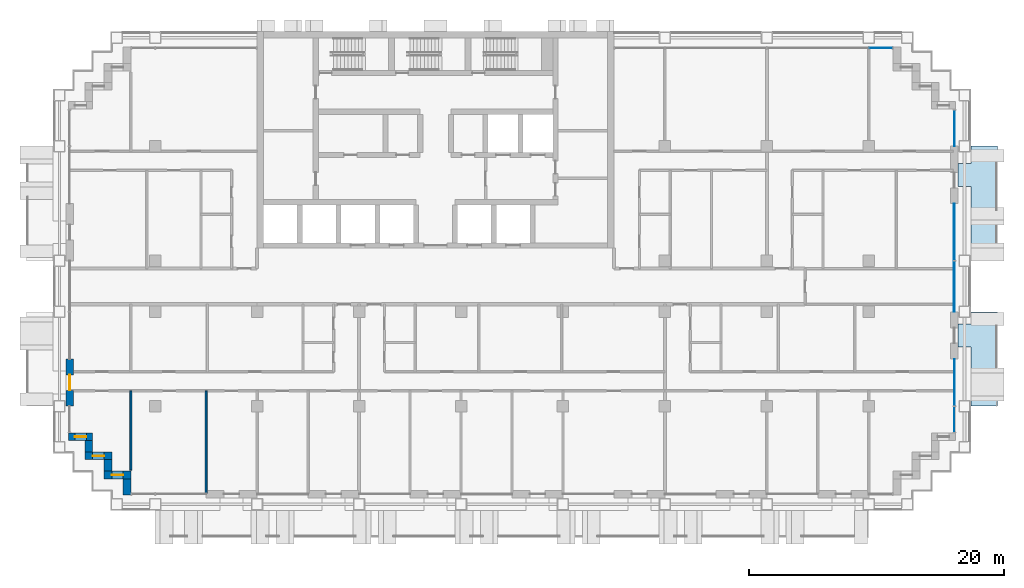
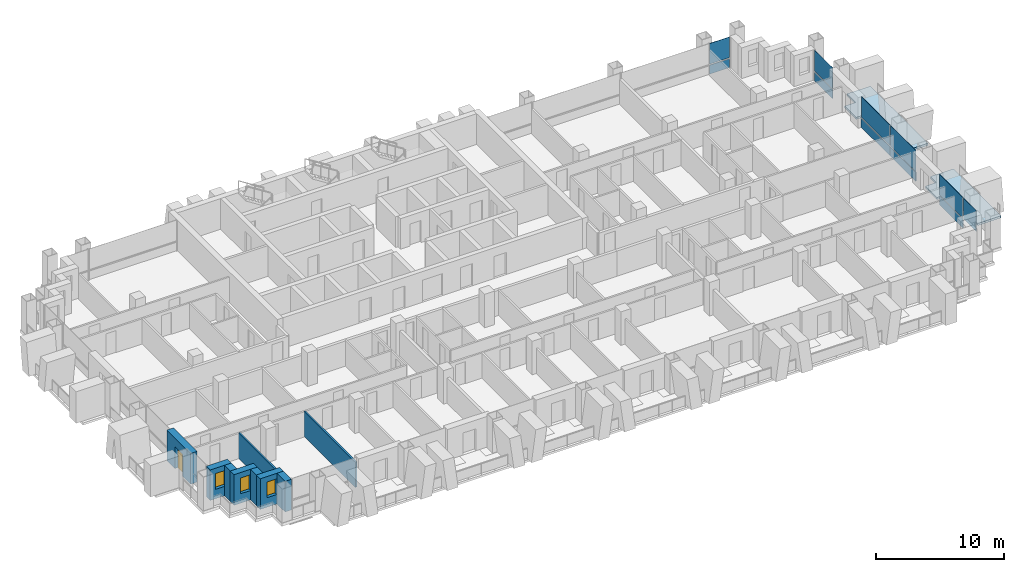
# One storey, part 8 of 19: 11 plates, 9 walls, 3 windows, 2 slabs, 1 door, 4 openings, 4 elements without a shape of their own.
"""IFC4 building model written with IfcOpenShell, lengths in metres."""

from ifc_helpers import new_model, si_unit, direction, frame, frame_2d, origin, origin_2d, place, context, subcontext, project, spatial, polyline, rectangle, outline, extrude, material, layer, layer_set, type_object, element, fill, aggregate, save


model = new_model("IFC4")

# Units and contexts
model_context = context("Model", 3, precision=1e-05, world=origin(), true_north=direction((0.0, 1.0)))
body_context = subcontext(model_context, "Body", "Model", "MODEL_VIEW")
ifc_project = project(units=[si_unit("LENGTHUNIT", "METRE"), si_unit("AREAUNIT", "SQUARE_METRE"), si_unit("VOLUMEUNIT", "CUBIC_METRE"), si_unit("PLANEANGLEUNIT", "RADIAN"), si_unit("MASSUNIT", "GRAM", prefix="KILO")], contexts=[model_context])

# Site, building, storey
site_placement = place(None, origin())
site = spatial("IfcSite", under=ifc_project, at=site_placement, CompositionType="ELEMENT")
building_placement = place(site_placement, origin())
building = spatial("IfcBuilding", under=site, at=building_placement, Name="Vidyagriha Tower", CompositionType="ELEMENT")
storey_placement = place(building_placement, frame((0.0, 0.0, 99.89990234375)))
storey = spatial("IfcBuildingStorey", under=building, at=storey_placement, Name="L26", CompositionType="ELEMENT", Elevation=99.89990234375)

# Curtain wall, plate
ifc_material_1 = material(Name="Aluminium and glass curtain wall", Category="aluminium")
curtain_wall_type = type_object("IfcCurtainWallType", Name="Dwelling skin unitised curtain wall", PredefinedType="USERDEFINED", material=ifc_material_1)
curtain_wall_1_placement = place(storey_placement, origin())
curtain_wall_1 = element("IfcCurtainWall", 1, at=curtain_wall_1_placement, inside=storey, type_object=curtain_wall_type, Name="CW1 dwelling skin", ObjectType="UNITISED", PredefinedType="USERDEFINED")
ifc_material_2 = material(Name="Glass dark ceramic-fritted spandrel", Category="glass")
ifc_layer_1 = layer(ifc_material_2, 0.0400390625)
ifc_layer_set_1 = layer_set([ifc_layer_1], Name="Glass dark ceramic-fritted spandrel")
plate_type_1 = type_object("IfcPlateType", Name="Ceramic-fritted spandrel panel", PredefinedType="CURTAIN_PANEL", material=ifc_layer_set_1)
plate_1_placement = place(storey_placement, frame((34.9326171875, 18.699951171875, 0.0), z_axis=(0.0, 0.0, 1.0), x_axis=(-1.0, 0.0, 0.0)))
plate_1 = element("IfcPlate", 2, at=plate_1_placement, type_object=plate_type_1, Name="CW1 panel 1.1", PredefinedType="CURTAIN_PANEL", context=body_context, shape_type="SweptSolid", body=[
    extrude(rectangle(XDim=1.794921875, YDim=0.0400390625, at=origin_2d()), origin(), (0.0, 0.0, 1.0), 0.85009765625),
])

curtain_wall_2_placement = place(storey_placement, origin())
curtain_wall_2 = element("IfcCurtainWall", 3, at=curtain_wall_2_placement, inside=storey, type_object=curtain_wall_type, Name="CW1 dwelling skin", ObjectType="UNITISED", PredefinedType="USERDEFINED")
plate_2_placement = place(storey_placement, frame((40.699951171875, -7.532470703125, 0.0), z_axis=(0.0, 0.0, 1.0), x_axis=(0.0, 1.0, 0.0)))
plate_2 = element("IfcPlate", 4, at=plate_2_placement, type_object=plate_type_1, Name="CW1 panel 2.1", PredefinedType="CURTAIN_PANEL", context=body_context, shape_type="SweptSolid", body=[
    extrude(rectangle(XDim=3.6650390625, YDim=0.0400390625, at=origin_2d()), origin(), (0.0, 0.0, 1.0), 0.85009765625),
])

curtain_wall_3_placement = place(storey_placement, origin())
curtain_wall_3 = element("IfcCurtainWall", 5, at=curtain_wall_3_placement, inside=storey, type_object=curtain_wall_type, Name="CW1 dwelling skin", ObjectType="UNITISED", PredefinedType="USERDEFINED")
plate_3_placement = place(storey_placement, frame((40.699951171875, 12.4150390625, 0.0), z_axis=(0.0, 0.0, 1.0), x_axis=(0.0, 1.0, 0.0)))
plate_3 = element("IfcPlate", 6, at=plate_3_placement, type_object=plate_type_1, Name="CW1 panel 1.1", PredefinedType="CURTAIN_PANEL", context=body_context, shape_type="SweptSolid", body=[
    extrude(rectangle(XDim=2.830078125, YDim=0.0400390625, at=origin_2d()), origin(), (0.0, 0.0, 1.0), 0.85009765625),
])

# Plate
ifc_material_3 = material(Name="Glass dark ceramic-fritted", Category="glass")
ifc_layer_2 = layer(ifc_material_3, 0.028076171875)
ifc_layer_set_2 = layer_set([ifc_layer_2], Name="Glass dark ceramic-fritted")
plate_type_2 = type_object("IfcPlateType", Name="Dark ceramic-fritted vision glass panel", PredefinedType="CURTAIN_PANEL", material=ifc_layer_set_2)
plate_4_placement = place(storey_placement, frame((34.9326171875, 18.699951171875, 0.9501953125), z_axis=(0.0, 0.0, 1.0), x_axis=(-1.0, 0.0, 0.0)))
plate_4 = element("IfcPlate", 7, at=plate_4_placement, type_object=plate_type_2, Name="CW1 panel 1.2", PredefinedType="CURTAIN_PANEL", context=body_context, shape_type="SweptSolid", body=[
    extrude(rectangle(XDim=1.794921875, YDim=0.028076171875, at=origin_2d()), origin(), (0.0, 0.0, 1.0), 1.969970703125),
])

aggregate(curtain_wall_1, [plate_1, plate_4])

plate_5_placement = place(storey_placement, frame((40.699951171875, -10.4326171875, 0.9501953125), z_axis=(0.0, 0.0, 1.0), x_axis=(0.0, 1.0, 0.0)))
plate_5 = element("IfcPlate", 8, at=plate_5_placement, type_object=plate_type_2, Name="CW1 panel 1.2", PredefinedType="CURTAIN_PANEL", context=body_context, shape_type="SweptSolid", body=[
    extrude(rectangle(XDim=1.9951171875, YDim=0.028076171875, at=origin_2d()), origin(), (0.0, 0.0, 1.0), 1.969970703125),
])

plate_6_placement = place(storey_placement, frame((40.699951171875, -7.532470703125, 0.9501953125), z_axis=(0.0, 0.0, 1.0), x_axis=(0.0, 1.0, 0.0)))
plate_6 = element("IfcPlate", 9, at=plate_6_placement, type_object=plate_type_2, Name="CW1 panel 2.2", PredefinedType="CURTAIN_PANEL", context=body_context, shape_type="SweptSolid", body=[
    extrude(rectangle(XDim=3.6650390625, YDim=0.028076171875, at=origin_2d()), origin(), (0.0, 0.0, 1.0), 1.969970703125),
])

aggregate(curtain_wall_2, [plate_5, plate_2, plate_6])

# Curtain wall, plates
curtain_wall_4_placement = place(storey_placement, origin())
curtain_wall_4 = element("IfcCurtainWall", 10, at=curtain_wall_4_placement, inside=storey, type_object=curtain_wall_type, Name="CW1 dwelling skin", ObjectType="UNITISED", PredefinedType="USERDEFINED")
plate_7_placement = place(storey_placement, frame((40.699951171875, -0.017578125, 0.9501953125), z_axis=(0.0, 0.0, 1.0), x_axis=(0.0, 1.0, 0.0)))
plate_7 = element("IfcPlate", 11, at=plate_7_placement, type_object=plate_type_2, Name="CW1 panel 1.2", PredefinedType="CURTAIN_PANEL", context=body_context, shape_type="SweptSolid", body=[
    extrude(rectangle(XDim=3.965087890625, YDim=0.028076171875, at=origin_2d()), origin(), (0.0, 0.0, 1.0), 1.969970703125),
])
plate_8_placement = place(storey_placement, frame((40.699951171875, 4.267578125, 0.9501953125), z_axis=(0.0, 0.0, 1.0), x_axis=(0.0, 1.0, 0.0)))
plate_8 = element("IfcPlate", 12, at=plate_8_placement, type_object=plate_type_2, Name="CW1 panel 2.2", PredefinedType="CURTAIN_PANEL", context=body_context, shape_type="SweptSolid", body=[
    extrude(rectangle(XDim=4.465087890625, YDim=0.028076171875, at=origin_2d()), origin(), (0.0, 0.0, 1.0), 1.969970703125),
])

# Plate
plate_9_placement = place(storey_placement, frame((40.699951171875, 12.4150390625, 0.9501953125), z_axis=(0.0, 0.0, 1.0), x_axis=(0.0, 1.0, 0.0)))
plate_9 = element("IfcPlate", 13, at=plate_9_placement, type_object=plate_type_2, Name="CW1 panel 1.2", PredefinedType="CURTAIN_PANEL", context=body_context, shape_type="SweptSolid", body=[
    extrude(rectangle(XDim=2.830078125, YDim=0.028076171875, at=origin_2d()), origin(), (0.0, 0.0, 1.0), 1.969970703125),
])

aggregate(curtain_wall_3, [plate_3, plate_9])

ifc_material_4 = material(Name="Aluminium black anodised", Category="aluminium")
ifc_layer_3 = layer(ifc_material_4, 0.06005859375)
ifc_layer_set_3 = layer_set([ifc_layer_3], Name="Aluminium black anodised")
plate_type_3 = type_object("IfcPlateType", Name="Operable black-metal vent panel", PredefinedType="CURTAIN_PANEL", material=ifc_layer_set_3)
plate_10_placement = place(storey_placement, frame((40.699951171875, -0.017578125, 0.0), z_axis=(0.0, 0.0, 1.0), x_axis=(0.0, 1.0, 0.0)))
plate_10 = element("IfcPlate", 14, at=plate_10_placement, type_object=plate_type_3, Name="CW1 panel 1.1", PredefinedType="CURTAIN_PANEL", context=body_context, shape_type="SweptSolid", body=[
    extrude(rectangle(XDim=3.965087890625, YDim=0.06005859375, at=origin_2d()), origin(), (0.0, 0.0, 1.0), 0.85009765625),
])

plate_11_placement = place(storey_placement, frame((40.699951171875, 4.267578125, 0.0), z_axis=(0.0, 0.0, 1.0), x_axis=(0.0, 1.0, 0.0)))
plate_11 = element("IfcPlate", 15, at=plate_11_placement, type_object=plate_type_3, Name="CW1 panel 2.1", PredefinedType="CURTAIN_PANEL", context=body_context, shape_type="SweptSolid", body=[
    extrude(rectangle(XDim=4.465087890625, YDim=0.06005859375, at=origin_2d()), origin(), (0.0, 0.0, 1.0), 0.85009765625),
])

aggregate(curtain_wall_4, [plate_10, plate_7, plate_11, plate_8])

# Slabs
ifc_material_5 = material(Name="Precast concrete C40/50", Category="concrete")
ifc_layer_4 = layer(ifc_material_5, 0.199951171875)
ifc_layer_set_4 = layer_set([ifc_layer_4], Name="Precast concrete C40/50")
slab_type = type_object("IfcSlabType", Name="Precast balcony slab 200", PredefinedType="USERDEFINED", material=ifc_layer_set_4)
slab_1_placement = place(storey_placement, frame((0.0, 0.0, -0.199951171875)))
element("IfcSlab", 16, at=slab_1_placement, inside=storey, type_object=slab_type, Name="Balcony slab L26 R30.1-1", ObjectType="BALCONY", PredefinedType="USERDEFINED", context=body_context, shape_type="SweptSolid", body=[
    extrude(outline(polyline([(42.0, -4.75), (42.0, -9.39990234375), (44.10009765625, -9.39990234375), (44.10009765625, -2.0), (42.0, -2.0), (42.0, -2.949951171875), (41.0, -2.949951171875), (41.0, -4.75), (42.0, -4.75)])), origin(), (0.0, 0.0, 1.0), 0.199951171875),
])
slab_2_placement = place(storey_placement, frame((0.0, 0.0, -0.199951171875)))
element("IfcSlab", 17, at=slab_2_placement, inside=storey, type_object=slab_type, Name="Balcony slab L26 R30.2-2", ObjectType="BALCONY", PredefinedType="USERDEFINED", context=body_context, shape_type="SweptSolid", body=[
    extrude(outline(polyline([(42.0, 7.85009765625), (42.0, 2.0), (44.10009765625, 2.0), (44.10009765625, 11.0), (42.0, 11.0), (42.0, 9.64990234375), (41.0, 9.64990234375), (41.0, 7.85009765625), (42.0, 7.85009765625)])), origin(), (0.0, 0.0, 1.0), 0.199951171875),
])

# Wall, opening, door
ifc_material_6 = material(Name="Precast concrete C40/50 with brick facing", Category="concrete")
ifc_layer_5 = layer(ifc_material_6, 0.60009765625)
ifc_layer_set_5 = layer_set([ifc_layer_5], Name="Precast concrete C40/50 with brick facing")
wall_type_1 = type_object("IfcWallType", Name="Brick-faced precast wall 600", PredefinedType="STANDARD", material=ifc_layer_set_5)
wall_1_placement = place(storey_placement, frame((-28.699951171875, -5.699951171875, 0.0), z_axis=(0.0, 0.0, 1.0), x_axis=(0.0, -1.0, 0.0)))
wall_1 = element("IfcWall", 18, at=wall_1_placement, inside=storey, type_object=wall_type_1, Name="Brick door bay wall L26 R16.6", PredefinedType="STANDARD", context=body_context, shape_type="SweptSolid", body=[
    extrude(rectangle(XDim=3.699951171875, YDim=0.60009765625, at=frame_2d((1.85009765625, 0.0))), origin(), (0.0, 0.0, 1.0), 2.920166015625),
])
opening_1_placement = place(wall_1_placement, frame((1.25, 0.0, 0.0)))
opening_1 = element("IfcOpeningElement", 19, at=opening_1_placement, cuts=wall_1, Name="Opening D26-69", PredefinedType="OPENING", context=body_context, shape_type="SweptSolid", body=[
    extrude(rectangle(XDim=1.199951171875, YDim=2.10009765625, at=frame_2d((0.60009765625, 1.050048828125))), frame((0.0, 0.31005859375, 0.0), z_axis=(0.0, -1.0, 0.0), x_axis=(1.0, 0.0, 0.0)), (0.0, 0.0, 1.0), 0.6201171875),
])
ifc_material_7 = material(Name="Aluminium framed glazed sliding door", Category="aluminium")
door_type = type_object("IfcDoorType", Name="Balcony sliding door 1200x2100", OperationType="NOTDEFINED", PredefinedType="DOOR", material=ifc_material_7)
door_placement = place(opening_1_placement, origin())
door = element("IfcDoor", 20, at=door_placement, inside=storey, type_object=door_type, Name="Door D26-69", OperationType="SLIDING_TO_LEFT", OverallHeight=2.10009765625, OverallWidth=1.199951171875, PredefinedType="DOOR", context=body_context, shape_type="SweptSolid", body=[
    extrude(rectangle(XDim=1.199951171875, YDim=2.10009765625, at=frame_2d((0.60009765625, 1.050048828125))), frame((0.0, 0.02490234375, 0.0), z_axis=(0.0, -1.0, 0.0), x_axis=(1.0, 0.0, 0.0)), (0.0, 0.0, 1.0), 0.050048828125),
])
fill(opening_1, door)

# Wall, opening, window
wall_2_placement = place(storey_placement, frame((-28.780029296875, -11.800048828125, 0.0)))
wall_2 = element("IfcWall", 21, at=wall_2_placement, inside=storey, type_object=wall_type_1, Name="Stepped corner wall L26 R17", PredefinedType="STANDARD", context=body_context, shape_type="SweptSolid", body=[
    extrude(rectangle(XDim=1.880126953125, YDim=0.60009765625, at=frame_2d((0.93994140625, 0.0))), origin(), (0.0, 0.0, 1.0), 2.920166015625),
])
opening_2_placement = place(wall_2_placement, frame((0.489990234375, 0.0, 0.89990234375)))
opening_2 = element("IfcOpeningElement", 22, at=opening_2_placement, cuts=wall_2, Name="Opening WN1", PredefinedType="OPENING", context=body_context, shape_type="SweptSolid", body=[
    extrude(rectangle(XDim=0.89990234375, YDim=1.5, at=frame_2d((0.449951171875, 0.75))), frame((0.0, 0.31005859375, 0.0), z_axis=(0.0, -1.0, 0.0), x_axis=(1.0, 0.0, 0.0)), (0.0, 0.0, 1.0), 0.6201171875),
])
ifc_material_8 = material(Name="Aluminium and glass window", Category="aluminium")
window_type = type_object("IfcWindowType", Name="Reveal window 900x1500", PartitioningType="NOTDEFINED", PredefinedType="WINDOW", material=ifc_material_8)
window_1_placement = place(opening_2_placement, origin())
window_1 = element("IfcWindow", 23, at=window_1_placement, inside=storey, type_object=window_type, Name="Reveal window L26 R17", OverallHeight=1.5, OverallWidth=0.89990234375, PartitioningType="SINGLE_PANEL", PredefinedType="WINDOW", context=body_context, shape_type="SweptSolid", body=[
    extrude(rectangle(XDim=0.89990234375, YDim=1.5, at=frame_2d((0.449951171875, 0.75))), frame((0.0, 0.030029296875, 0.0), z_axis=(0.0, -1.0, 0.0), x_axis=(1.0, 0.0, 0.0)), (0.0, 0.0, 1.0), 0.06005859375),
])
fill(opening_2, window_1)

# Wall
wall_3_placement = place(storey_placement, frame((-27.199951171875, -12.10009765625, 0.0), z_axis=(0.0, 0.0, 1.0), x_axis=(0.0, -1.0, 0.0)))
element("IfcWall", 24, at=wall_3_placement, inside=storey, type_object=wall_type_1, Name="Stepped corner wall L26 R18", PredefinedType="STANDARD", context=body_context, shape_type="SweptSolid", body=[
    extrude(rectangle(XDim=0.89990234375, YDim=0.60009765625, at=frame_2d((0.449951171875, 0.0))), origin(), (0.0, 0.0, 1.0), 2.920166015625),
])

# Wall, opening, window
wall_4_placement = place(storey_placement, frame((-27.5, -13.300048828125, 0.0)))
wall_4 = element("IfcWall", 25, at=wall_4_placement, inside=storey, type_object=wall_type_1, Name="Stepped corner wall L26 R19", PredefinedType="STANDARD", context=body_context, shape_type="SweptSolid", body=[
    extrude(rectangle(XDim=2.10009765625, YDim=0.60009765625, at=frame_2d((1.050048828125, 0.0))), origin(), (0.0, 0.0, 1.0), 2.920166015625),
])
opening_3_placement = place(wall_4_placement, frame((0.60009765625, 0.0, 0.89990234375)))
opening_3 = element("IfcOpeningElement", 26, at=opening_3_placement, cuts=wall_4, Name="Opening WN1", PredefinedType="OPENING", context=body_context, shape_type="SweptSolid", body=[
    extrude(rectangle(XDim=0.89990234375, YDim=1.5, at=frame_2d((0.449951171875, 0.75))), frame((0.0, 0.31005859375, 0.0), z_axis=(0.0, -1.0, 0.0), x_axis=(1.0, 0.0, 0.0)), (0.0, 0.0, 1.0), 0.6201171875),
])
window_2_placement = place(opening_3_placement, origin())
window_2 = element("IfcWindow", 27, at=window_2_placement, inside=storey, type_object=window_type, Name="Reveal window L26 R19", OverallHeight=1.5, OverallWidth=0.89990234375, PartitioningType="SINGLE_PANEL", PredefinedType="WINDOW", context=body_context, shape_type="SweptSolid", body=[
    extrude(rectangle(XDim=0.89990234375, YDim=1.5, at=frame_2d((0.449951171875, 0.75))), frame((0.0, 0.030029296875, 0.0), z_axis=(0.0, -1.0, 0.0), x_axis=(1.0, 0.0, 0.0)), (0.0, 0.0, 1.0), 0.06005859375),
])
fill(opening_3, window_2)

# Wall
wall_5_placement = place(storey_placement, frame((-25.699951171875, -13.60009765625, 0.0), z_axis=(0.0, 0.0, 1.0), x_axis=(0.0, -1.0, 0.0)))
element("IfcWall", 28, at=wall_5_placement, inside=storey, type_object=wall_type_1, Name="Stepped corner wall L26 R20", PredefinedType="STANDARD", context=body_context, shape_type="SweptSolid", body=[
    extrude(rectangle(XDim=0.89990234375, YDim=0.60009765625, at=frame_2d((0.449951171875, 0.0))), origin(), (0.0, 0.0, 1.0), 2.920166015625),
])

# Wall, opening, window
wall_6_placement = place(storey_placement, frame((-26.0, -14.800048828125, 0.0)))
wall_6 = element("IfcWall", 29, at=wall_6_placement, inside=storey, type_object=wall_type_1, Name="Stepped corner wall L26 R21", PredefinedType="STANDARD", context=body_context, shape_type="SweptSolid", body=[
    extrude(rectangle(XDim=2.10009765625, YDim=0.60009765625, at=frame_2d((1.050048828125, 0.0))), origin(), (0.0, 0.0, 1.0), 2.920166015625),
])
opening_4_placement = place(wall_6_placement, frame((0.60009765625, 0.0, 0.89990234375)))
opening_4 = element("IfcOpeningElement", 30, at=opening_4_placement, cuts=wall_6, Name="Opening WN1", PredefinedType="OPENING", context=body_context, shape_type="SweptSolid", body=[
    extrude(rectangle(XDim=0.89990234375, YDim=1.5, at=frame_2d((0.449951171875, 0.75))), frame((0.0, 0.31005859375, 0.0), z_axis=(0.0, -1.0, 0.0), x_axis=(1.0, 0.0, 0.0)), (0.0, 0.0, 1.0), 0.6201171875),
])
window_3_placement = place(opening_4_placement, origin())
window_3 = element("IfcWindow", 31, at=window_3_placement, inside=storey, type_object=window_type, Name="Reveal window L26 R21", OverallHeight=1.5, OverallWidth=0.89990234375, PartitioningType="SINGLE_PANEL", PredefinedType="WINDOW", context=body_context, shape_type="SweptSolid", body=[
    extrude(rectangle(XDim=0.89990234375, YDim=1.5, at=frame_2d((0.449951171875, 0.75))), frame((0.0, 0.030029296875, 0.0), z_axis=(0.0, -1.0, 0.0), x_axis=(1.0, 0.0, 0.0)), (0.0, 0.0, 1.0), 0.06005859375),
])
fill(opening_4, window_3)

# Walls
wall_7_placement = place(storey_placement, frame((-24.199951171875, -15.10009765625, 0.0), z_axis=(0.0, 0.0, 1.0), x_axis=(0.0, -1.0, 0.0)))
element("IfcWall", 32, at=wall_7_placement, inside=storey, type_object=wall_type_1, Name="Stepped corner wall L26 R22", PredefinedType="STANDARD", context=body_context, shape_type="SweptSolid", body=[
    extrude(rectangle(XDim=1.27978515625, YDim=0.60009765625, at=frame_2d((0.639892578125, 0.0))), origin(), (0.0, 0.0, 1.0), 2.920166015625),
])
ifc_material_9 = material(Name="Gypsum board partition")
ifc_layer_6 = layer(ifc_material_9, 0.14990234375)
ifc_layer_set_6 = layer_set([ifc_layer_6], Name="Gypsum board partition")
wall_type_2 = type_object("IfcWallType", Name="Gypsum board partition 150", PredefinedType="PARTITIONING", material=ifc_layer_set_6)
wall_8_placement = place(storey_placement, frame((-23.89990234375, -8.199951171875, 0.0), z_axis=(0.0, 0.0, 1.0), x_axis=(0.0, -1.0, 0.0)))
element("IfcWall", 33, at=wall_8_placement, inside=storey, type_object=wall_type_2, Name="Wall all-L26-w018", PredefinedType="PARTITIONING", context=body_context, shape_type="SweptSolid", body=[
    extrude(rectangle(XDim=6.219970703125, YDim=0.14990234375, at=frame_2d((3.10986328125, 0.0))), origin(), (0.0, 0.0, 1.0), 2.400146484375),
])
wall_9_placement = place(storey_placement, frame((-18.0, -8.199951171875, 0.0), z_axis=(0.0, 0.0, 1.0), x_axis=(0.0, -1.0, 0.0)))
element("IfcWall", 34, at=wall_9_placement, inside=storey, type_object=wall_type_2, Name="Wall all-L26-w019", PredefinedType="PARTITIONING", context=body_context, shape_type="SweptSolid", body=[
    extrude(rectangle(XDim=8.02099609375, YDim=0.14990234375, at=frame_2d((4.010498046875, 0.0))), origin(), (0.0, 0.0, 1.0), 2.400146484375),
])

save(model, "model.ifc")
